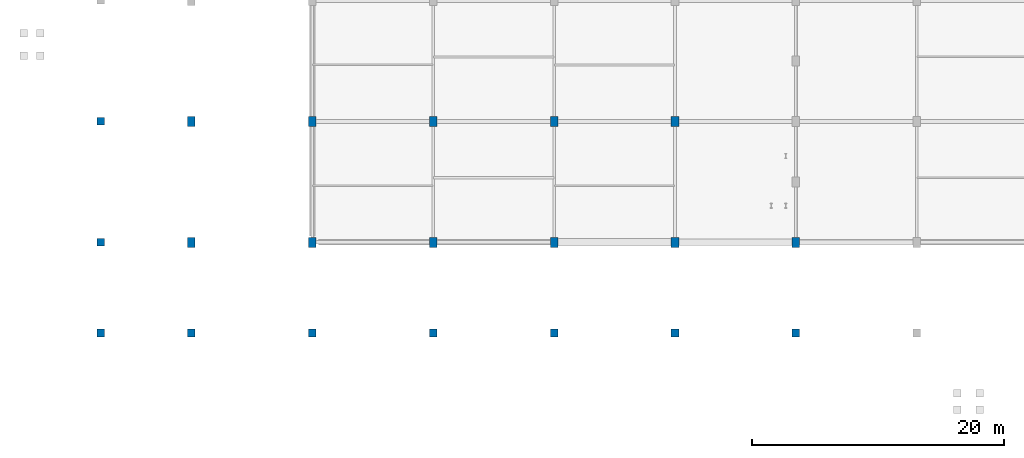
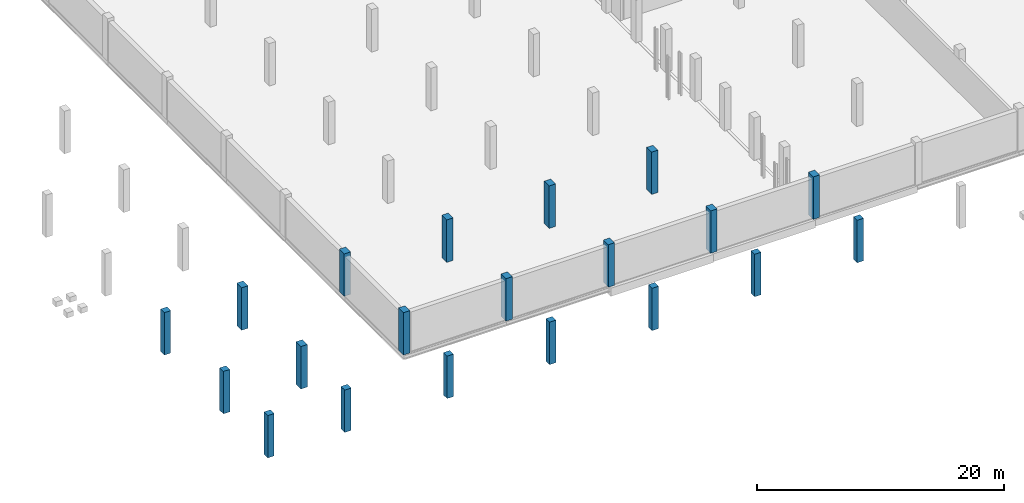
# One storey, part 1 of 47: 20 columns.
"""IFC4 building model written with IfcOpenShell, lengths in metres."""

from ifc_helpers import new_model, si_unit, direction, frame, origin, origin_2d, place, context, subcontext, project, spatial, rectangle, extrude, material, material_profile, profile_set, type_object, element, save


model = new_model("IFC4")

# Units and contexts
model_context = context("Model", 3, precision=1e-05, world=origin(), true_north=direction((0.0, 1.0)))
body_context = subcontext(model_context, "Body", "Model", "MODEL_VIEW")
ifc_project = project(units=[si_unit("LENGTHUNIT", "METRE"), si_unit("AREAUNIT", "SQUARE_METRE"), si_unit("VOLUMEUNIT", "CUBIC_METRE"), si_unit("PLANEANGLEUNIT", "RADIAN"), si_unit("MASSUNIT", "GRAM", prefix="KILO")], contexts=[model_context])

# Site, building, storey
site_placement = place(None, origin())
site = spatial("IfcSite", under=ifc_project, at=site_placement, CompositionType="ELEMENT")
building_placement = place(site_placement, origin())
building = spatial("IfcBuilding", under=site, at=building_placement, Name="Zevrakil Square Congress Hotel", CompositionType="ELEMENT")
storey_placement = place(building_placement, frame((0.0, 0.0, -4.199951171875)))
storey = spatial("IfcBuildingStorey", under=building, at=storey_placement, Name="B1", CompositionType="ELEMENT", Elevation=-4.199951171875)

# Columns
ifc_material_1 = material(Name="Concrete C40/50", Category="concrete")
ifc_material_profile_1 = material_profile(ifc_material_1, rectangle(XDim=0.60009765625, YDim=0.60009765625, at=origin_2d()), Name="RC 600x600")
ifc_profile_set_1 = profile_set([ifc_material_profile_1], Name="Concrete C40/50")
column_type_1 = type_object("IfcColumnType", Name="COL-RC600", PredefinedType="COLUMN", material=ifc_profile_set_1)
for number, where, z_axis, x_axis, name in (
    (1, (0.0, 0.0, 0.0), (0.0, 0.0, 1.0), (1.0, 0.0, 0.0), "B1 column C-001"),
    (2, (0.0, 7.199951171875, 0.0), (0.0, 0.0, 1.0), (1.0, 0.0, 0.0), "B1 column C-002"),
    (3, (0.0, 16.800048828125, 0.0), (0.0, 0.0, 1.0), (1.0, 0.0, 0.0), "B1 column C-003"),
    (4, (7.199951171875, 0.0, 0.0), (0.0, 0.0, 1.0), (1.0, 0.0, 0.0), "B1 column C-014"),
    (5, (16.800048828125, 0.0, 0.0), (0.0, 0.0, 1.0), (1.0, 0.0, 0.0), "B1 column C-026"),
    (6, (26.39990234375, 0.0, 0.0), (0.0, 0.0, 1.0), (1.0, 0.0, 0.0), "B1 column C-040"),
    (7, (36.0, 0.0, 0.0), (0.0, 0.0, 1.0), (1.0, 0.0, 0.0), "B1 column C-053"),
    (8, (45.60009765625, 0.0, 0.0), (0.0, 0.0, 1.0), (1.0, 0.0, 0.0), "B1 column C-067"),
    (9, (55.199951171875, 0.0, 0.0), (0.0, 0.0, 1.0), (1.0, 0.0, 0.0), "B1 column C-081"),
):
    element("IfcColumn", number, at=place(storey_placement, frame(where, z_axis=z_axis, x_axis=x_axis)), inside=storey, type_object=column_type_1, Name=name, PredefinedType="COLUMN", context=body_context, shape_type="SweptSolid", body=[
        extrude(rectangle(XDim=0.60009765625, YDim=0.60009765625, at=origin_2d()), origin(), (0.0, 0.0, 1.0), 4.199951171875),
    ])
ifc_material_2 = material(Name="Concrete C40/50", Category="concrete")
ifc_material_profile_2 = material_profile(ifc_material_2, rectangle(XDim=0.60009765625, YDim=0.800048828125, at=origin_2d()), Name="RC 600x800")
ifc_profile_set_2 = profile_set([ifc_material_profile_2], Name="Concrete C40/50")
column_type_2 = type_object("IfcColumnType", Name="COL-RC600x800", PredefinedType="COLUMN", material=ifc_profile_set_2)
for number, where, z_axis, x_axis, name in (
    (10, (7.199951171875, 7.199951171875, 0.0), (0.0, 0.0, 1.0), (1.0, 0.0, 0.0), "B1 column C-015"),
    (11, (7.199951171875, 16.800048828125, 0.0), (0.0, 0.0, 1.0), (1.0, 0.0, 0.0), "B1 column C-016"),
    (12, (16.800048828125, 7.199951171875, 0.0), (0.0, 0.0, 1.0), (1.0, 0.0, 0.0), "B1 column C-027"),
    (13, (16.800048828125, 16.800048828125, 0.0), (0.0, 0.0, 1.0), (1.0, 0.0, 0.0), "B1 column C-028"),
    (14, (26.39990234375, 7.199951171875, 0.0), (0.0, 0.0, 1.0), (1.0, 0.0, 0.0), "B1 column C-041"),
    (15, (26.39990234375, 16.800048828125, 0.0), (0.0, 0.0, 1.0), (1.0, 0.0, 0.0), "B1 column C-042"),
    (16, (36.0, 7.199951171875, 0.0), (0.0, 0.0, 1.0), (1.0, 0.0, 0.0), "B1 column C-054"),
    (17, (36.0, 16.800048828125, 0.0), (0.0, 0.0, 1.0), (1.0, 0.0, 0.0), "B1 column C-055"),
    (18, (45.60009765625, 7.199951171875, 0.0), (0.0, 0.0, 1.0), (1.0, 0.0, 0.0), "B1 column C-068"),
    (19, (45.60009765625, 16.800048828125, 0.0), (0.0, 0.0, 1.0), (1.0, 0.0, 0.0), "B1 column C-069"),
    (20, (55.199951171875, 7.199951171875, 0.0), (0.0, 0.0, 1.0), (1.0, 0.0, 0.0), "B1 column C-082"),
):
    element("IfcColumn", number, at=place(storey_placement, frame(where, z_axis=z_axis, x_axis=x_axis)), inside=storey, type_object=column_type_2, Name=name, PredefinedType="COLUMN", context=body_context, shape_type="SweptSolid", body=[
        extrude(rectangle(XDim=0.60009765625, YDim=0.800048828125, at=origin_2d()), origin(), (0.0, 0.0, 1.0), 4.199951171875),
    ])

save(model, "model.ifc")
